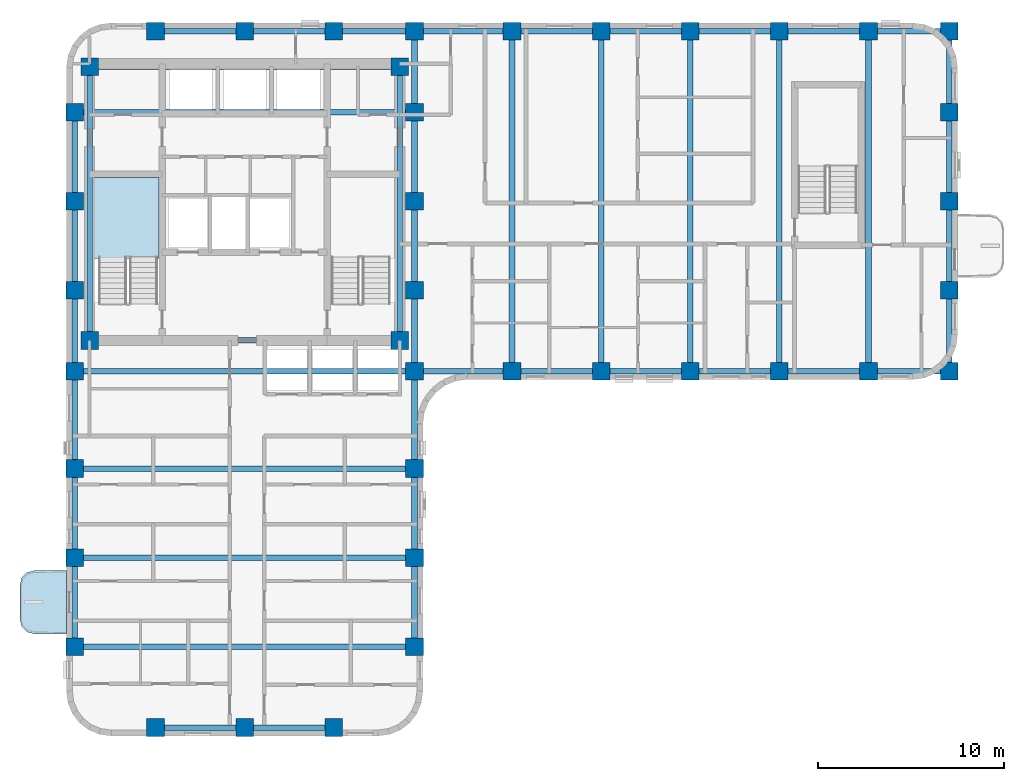
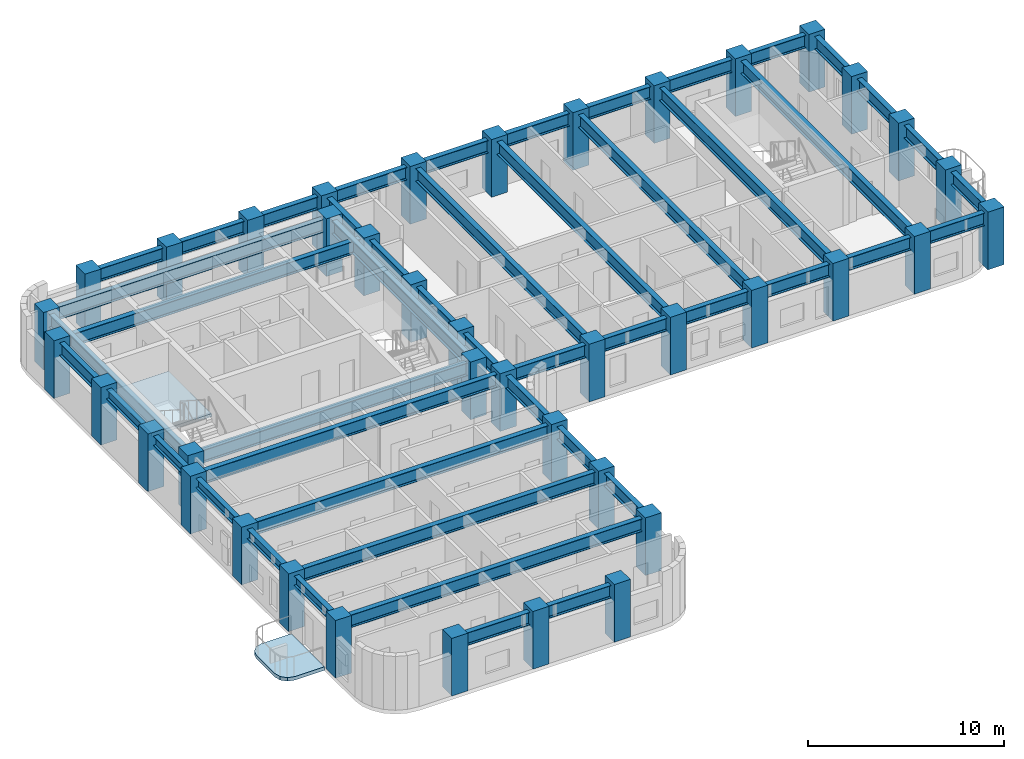
# One storey, part 1 of 10: 48 beams, 40 columns, 2 slabs, 1 element without a shape of its own.
"""IFC4 building model written with IfcOpenShell, lengths in metres."""

from ifc_helpers import new_model, si_unit, direction, frame, origin, origin_2d, place, context, subcontext, project, spatial, polyline, rectangle, i_section, outline, extrude, material, layer, layer_set, material_profile, profile_set, type_object, element, aggregate, save


model = new_model("IFC4")

# Units and contexts
model_context = context("Model", 3, precision=1e-05, world=origin(), true_north=direction((0.0, 1.0)))
body_context = subcontext(model_context, "Body", "Model", "MODEL_VIEW")
ifc_project = project(units=[si_unit("LENGTHUNIT", "METRE"), si_unit("AREAUNIT", "SQUARE_METRE"), si_unit("VOLUMEUNIT", "CUBIC_METRE"), si_unit("PLANEANGLEUNIT", "RADIAN"), si_unit("MASSUNIT", "GRAM", prefix="KILO")], contexts=[model_context])

# Site, building, storey
site_placement = place(None, origin())
site = spatial("IfcSite", under=ifc_project, at=site_placement, CompositionType="ELEMENT")
building_placement = place(site_placement, origin())
building = spatial("IfcBuilding", under=site, at=building_placement, Name="Orvandelia Arch Residences", CompositionType="ELEMENT")
storey_placement = place(building_placement, frame((0.0, 0.0, 114.39990234375)))
storey = spatial("IfcBuildingStorey", under=building, at=storey_placement, Name="L29", CompositionType="ELEMENT", Elevation=114.39990234375)

# Columns
ifc_material_1 = material(Name="Concrete C60/75", Category="concrete")
ifc_material_profile_1 = material_profile(ifc_material_1, rectangle(XDim=0.949951171875, YDim=0.949951171875, at=origin_2d()), Name="Concrete C60/75", Category="concrete")
ifc_profile_set_1 = profile_set([ifc_material_profile_1], Name="Concrete C60/75")
column_type = type_object("IfcColumnType", Name="COL-TWR-950", PredefinedType="COLUMN", material=ifc_profile_set_1)
for number, where, z_axis, x_axis, name in (
    (1, (5.25, 14.39990234375, 0.0), (0.0, 0.0, 1.0), (1.0, 0.0, 0.0), "Structural Column L29-W-W-144"),
    (2, (5.25, 19.199951171875, 0.0), (0.0, 0.0, 1.0), (1.0, 0.0, 0.0), "Structural Column L29-W-W-192"),
    (3, (5.25, 24.0, 0.0), (0.0, 0.0, 1.0), (1.0, 0.0, 0.0), "Structural Column L29-W-W-240"),
    (4, (5.25, 29.25, 0.0), (0.0, 0.0, 1.0), (1.0, 0.0, 0.0), "Structural Column L29-W-W-292"),
    (5, (5.25, 33.60009765625, 0.0), (0.0, 0.0, 1.0), (1.0, 0.0, 0.0), "Structural Column L29-W-W-336"),
    (6, (5.25, 38.39990234375, 0.0), (0.0, 0.0, 1.0), (1.0, 0.0, 0.0), "Structural Column L29-W-W-384"),
    (7, (5.25, 43.199951171875, 0.0), (0.0, 0.0, 1.0), (1.0, 0.0, 0.0), "Structural Column L29-W-W-432"),
    (8, (6.050048828125, 30.89990234375, 0.0), (0.0, 0.0, 1.0), (1.0, 0.0, 0.0), "Structural Column L29-CR-SW"),
    (9, (6.050048828125, 45.64990234375, 0.0), (0.0, 0.0, 1.0), (1.0, 0.0, 0.0), "Structural Column L29-CR-NW"),
    (10, (9.60009765625, 10.050048828125, 0.0), (0.0, 0.0, 1.0), (1.0, 0.0, 0.0), "Structural Column L29-W-S-96"),
    (11, (9.60009765625, 47.550048828125, 0.0), (0.0, 0.0, 1.0), (1.0, 0.0, 0.0), "Structural Column L29-W-N-96"),
    (12, (14.39990234375, 10.050048828125, 0.0), (0.0, 0.0, 1.0), (1.0, 0.0, 0.0), "Structural Column L29-W-S-144"),
    (13, (14.39990234375, 47.550048828125, 0.0), (0.0, 0.0, 1.0), (1.0, 0.0, 0.0), "Structural Column L29-W-N-144"),
    (14, (19.199951171875, 10.050048828125, 0.0), (0.0, 0.0, 1.0), (1.0, 0.0, 0.0), "Structural Column L29-W-S-192"),
    (15, (19.199951171875, 47.550048828125, 0.0), (0.0, 0.0, 1.0), (1.0, 0.0, 0.0), "Structural Column L29-W-N-192"),
    (16, (22.75, 30.89990234375, 0.0), (0.0, 0.0, 1.0), (1.0, 0.0, 0.0), "Structural Column L29-CR-SE"),
    (17, (22.75, 45.64990234375, 0.0), (0.0, 0.0, 1.0), (1.0, 0.0, 0.0), "Structural Column L29-CR-NE"),
    (18, (23.550048828125, 14.39990234375, 0.0), (0.0, 0.0, 1.0), (1.0, 0.0, 0.0), "Structural Column L29-W-E-144"),
    (19, (23.550048828125, 19.199951171875, 0.0), (0.0, 0.0, 1.0), (1.0, 0.0, 0.0), "Structural Column L29-W-E-192"),
    (20, (23.550048828125, 24.0, 0.0), (0.0, 0.0, 1.0), (1.0, 0.0, 0.0), "Structural Column L29-W-E-240"),
    (21, (23.550048828125, 29.25, 0.0), (0.0, 0.0, 1.0), (1.0, 0.0, 0.0), "Structural Column L29-W-E-292"),
    (22, (23.550048828125, 33.60009765625, 0.0), (0.0, 0.0, 1.0), (1.0, 0.0, 0.0), "Structural Column L29-W-E-336"),
    (23, (23.550048828125, 38.39990234375, 0.0), (0.0, 0.0, 1.0), (1.0, 0.0, 0.0), "Structural Column L29-W-E-384"),
    (24, (23.550048828125, 43.199951171875, 0.0), (0.0, 0.0, 1.0), (1.0, 0.0, 0.0), "Structural Column L29-W-E-432"),
    (25, (23.550048828125, 47.550048828125, 0.0), (0.0, 0.0, 1.0), (1.0, 0.0, 0.0), "Structural Column L29-W-N-235"),
    (26, (28.800048828125, 29.25, 0.0), (0.0, 0.0, 1.0), (1.0, 0.0, 0.0), "Structural Column L29-E-S-288"),
    (27, (28.800048828125, 47.550048828125, 0.0), (0.0, 0.0, 1.0), (1.0, 0.0, 0.0), "Structural Column L29-E-N-288"),
    (28, (33.60009765625, 29.25, 0.0), (0.0, 0.0, 1.0), (1.0, 0.0, 0.0), "Structural Column L29-E-S-336"),
    (29, (33.60009765625, 47.550048828125, 0.0), (0.0, 0.0, 1.0), (1.0, 0.0, 0.0), "Structural Column L29-E-N-336"),
    (30, (38.39990234375, 29.25, 0.0), (0.0, 0.0, 1.0), (1.0, 0.0, 0.0), "Structural Column L29-E-S-384"),
    (31, (38.39990234375, 47.550048828125, 0.0), (0.0, 0.0, 1.0), (1.0, 0.0, 0.0), "Structural Column L29-E-N-384"),
    (32, (43.199951171875, 29.25, 0.0), (0.0, 0.0, 1.0), (1.0, 0.0, 0.0), "Structural Column L29-E-S-432"),
    (33, (43.199951171875, 47.550048828125, 0.0), (0.0, 0.0, 1.0), (1.0, 0.0, 0.0), "Structural Column L29-E-N-432"),
    (34, (48.0, 29.25, 0.0), (0.0, 0.0, 1.0), (1.0, 0.0, 0.0), "Structural Column L29-E-S-480"),
    (35, (48.0, 47.550048828125, 0.0), (0.0, 0.0, 1.0), (1.0, 0.0, 0.0), "Structural Column L29-E-N-480"),
    (36, (52.35009765625, 29.25, 0.0), (0.0, 0.0, 1.0), (1.0, 0.0, 0.0), "Structural Column L29-E-S-523"),
    (37, (52.35009765625, 33.60009765625, 0.0), (0.0, 0.0, 1.0), (1.0, 0.0, 0.0), "Structural Column L29-E-523-336"),
    (38, (52.35009765625, 38.39990234375, 0.0), (0.0, 0.0, 1.0), (1.0, 0.0, 0.0), "Structural Column L29-E-523-384"),
    (39, (52.35009765625, 43.199951171875, 0.0), (0.0, 0.0, 1.0), (1.0, 0.0, 0.0), "Structural Column L29-E-523-432"),
    (40, (52.35009765625, 47.550048828125, 0.0), (0.0, 0.0, 1.0), (1.0, 0.0, 0.0), "Structural Column L29-E-N-523"),
):
    element("IfcColumn", number, at=place(storey_placement, frame(where, z_axis=z_axis, x_axis=x_axis)), inside=storey, type_object=column_type, Name=name, PredefinedType="COLUMN", context=body_context, shape_type="SweptSolid", body=[
        extrude(rectangle(XDim=0.949951171875, YDim=0.949951171875, at=origin_2d()), origin(), (0.0, 0.0, 1.0), 3.60009765625),
    ])

# Beams
ifc_material_2 = material(Name="Structural Steel SM355 (355 MPa)", Category="steel")
ifc_material_profile_2 = material_profile(ifc_material_2, i_section(OverallWidth=0.300048828125, OverallDepth=0.800048828125, WebThickness=0.013916015625, FlangeThickness=0.02587890625, FilletRadius=0.02587890625, at=origin_2d()), Name="Structural Steel SM355 (355 MPa)", Category="steel")
ifc_profile_set_2 = profile_set([ifc_material_profile_2], Name="Structural Steel SM355 (355 MPa)")
beam_type_1 = type_object("IfcBeamType", Name="BM-GRD-H800", PredefinedType="BEAM", material=ifc_profile_set_2)
beam_1_placement = place(storey_placement, frame((5.25, 38.39990234375, 2.960205078125), z_axis=(0.0, 1.0, 0.0), x_axis=(-1.0, 0.0, 0.0)))
element("IfcBeam", 41, at=beam_1_placement, inside=storey, type_object=beam_type_1, Name="Structural Frame Beam L29-NS-006", PredefinedType="BEAM", context=body_context, shape_type="SweptSolid", body=[
    extrude(i_section(OverallWidth=0.300048828125, OverallDepth=0.800048828125, WebThickness=0.013916015625, FlangeThickness=0.02587890625, FilletRadius=0.02587890625, at=origin_2d()), origin(), (0.0, 0.0, 1.0), 4.800048828125),
])
for number, where, z_axis, x_axis, name in (
    (42, (6.050048828125, 30.89990234375, 2.960205078125), (0.0, 1.0, 0.0), (-1.0, 0.0, 0.0), "Structural Frame Beam L29-NS-007"),
    (43, (22.75, 30.89990234375, 2.960205078125), (0.0, 1.0, 0.0), (-1.0, 0.0, 0.0), "Structural Frame Beam L29-NS-008"),
):
    element("IfcBeam", number, at=place(storey_placement, frame(where, z_axis=z_axis, x_axis=x_axis)), inside=storey, type_object=beam_type_1, Name=name, PredefinedType="BEAM", context=body_context, shape_type="SweptSolid", body=[
        extrude(i_section(OverallWidth=0.300048828125, OverallDepth=0.800048828125, WebThickness=0.013916015625, FlangeThickness=0.02587890625, FilletRadius=0.02587890625, at=origin_2d()), origin(), (0.0, 0.0, 1.0), 14.75),
    ])
for number, where, z_axis, x_axis, name in (
    (44, (23.550048828125, 14.39990234375, 2.960205078125), (0.0, 1.0, 0.0), (-1.0, 0.0, 0.0), "Structural Frame Beam L29-NS-009"),
    (45, (23.550048828125, 19.199951171875, 2.960205078125), (0.0, 1.0, 0.0), (-1.0, 0.0, 0.0), "Structural Frame Beam L29-NS-010"),
):
    element("IfcBeam", number, at=place(storey_placement, frame(where, z_axis=z_axis, x_axis=x_axis)), inside=storey, type_object=beam_type_1, Name=name, PredefinedType="BEAM", context=body_context, shape_type="SweptSolid", body=[
        extrude(i_section(OverallWidth=0.300048828125, OverallDepth=0.800048828125, WebThickness=0.013916015625, FlangeThickness=0.02587890625, FilletRadius=0.02587890625, at=origin_2d()), origin(), (0.0, 0.0, 1.0), 4.800048828125),
    ])
beam_2_placement = place(storey_placement, frame((23.550048828125, 24.0, 2.960205078125), z_axis=(0.0, 1.0, 0.0), x_axis=(-1.0, 0.0, 0.0)))
element("IfcBeam", 46, at=beam_2_placement, inside=storey, type_object=beam_type_1, Name="Structural Frame Beam L29-NS-011", PredefinedType="BEAM", context=body_context, shape_type="SweptSolid", body=[
    extrude(i_section(OverallWidth=0.300048828125, OverallDepth=0.800048828125, WebThickness=0.013916015625, FlangeThickness=0.02587890625, FilletRadius=0.02587890625, at=origin_2d()), origin(), (0.0, 0.0, 1.0), 5.25),
])
beam_3_placement = place(storey_placement, frame((23.550048828125, 29.25, 2.960205078125), z_axis=(0.0, 1.0, 0.0), x_axis=(-1.0, 0.0, 0.0)))
element("IfcBeam", 47, at=beam_3_placement, inside=storey, type_object=beam_type_1, Name="Structural Frame Beam L29-NS-012", PredefinedType="BEAM", context=body_context, shape_type="SweptSolid", body=[
    extrude(i_section(OverallWidth=0.300048828125, OverallDepth=0.800048828125, WebThickness=0.013916015625, FlangeThickness=0.02587890625, FilletRadius=0.02587890625, at=origin_2d()), origin(), (0.0, 0.0, 1.0), 4.35009765625),
])
beam_4_placement = place(storey_placement, frame((23.550048828125, 33.60009765625, 2.960205078125), z_axis=(0.0, 1.0, 0.0), x_axis=(-1.0, 0.0, 0.0)))
element("IfcBeam", 48, at=beam_4_placement, inside=storey, type_object=beam_type_1, Name="Structural Frame Beam L29-NS-013", PredefinedType="BEAM", context=body_context, shape_type="SweptSolid", body=[
    extrude(i_section(OverallWidth=0.300048828125, OverallDepth=0.800048828125, WebThickness=0.013916015625, FlangeThickness=0.02587890625, FilletRadius=0.02587890625, at=origin_2d()), origin(), (0.0, 0.0, 1.0), 4.7998046875),
])
beam_5_placement = place(storey_placement, frame((23.550048828125, 38.39990234375, 2.960205078125), z_axis=(0.0, 1.0, 0.0), x_axis=(-1.0, 0.0, 0.0)))
element("IfcBeam", 49, at=beam_5_placement, inside=storey, type_object=beam_type_1, Name="Structural Frame Beam L29-NS-014", PredefinedType="BEAM", context=body_context, shape_type="SweptSolid", body=[
    extrude(i_section(OverallWidth=0.300048828125, OverallDepth=0.800048828125, WebThickness=0.013916015625, FlangeThickness=0.02587890625, FilletRadius=0.02587890625, at=origin_2d()), origin(), (0.0, 0.0, 1.0), 4.800048828125),
])
beam_6_placement = place(storey_placement, frame((23.550048828125, 43.199951171875, 2.960205078125), z_axis=(0.0, 1.0, 0.0), x_axis=(-1.0, 0.0, 0.0)))
element("IfcBeam", 50, at=beam_6_placement, inside=storey, type_object=beam_type_1, Name="Structural Frame Beam L29-NS-015", PredefinedType="BEAM", context=body_context, shape_type="SweptSolid", body=[
    extrude(i_section(OverallWidth=0.300048828125, OverallDepth=0.800048828125, WebThickness=0.013916015625, FlangeThickness=0.02587890625, FilletRadius=0.02587890625, at=origin_2d()), origin(), (0.0, 0.0, 1.0), 4.35009765625),
])
for number, where, z_axis, x_axis, name in (
    (51, (28.800048828125, 29.25, 2.960205078125), (0.0, 1.0, 0.0), (-1.0, 0.0, 0.0), "Structural Frame Beam L29-NS-016"),
    (52, (33.60009765625, 29.25, 2.960205078125), (0.0, 1.0, 0.0), (-1.0, 0.0, 0.0), "Structural Frame Beam L29-NS-017"),
    (53, (38.39990234375, 29.25, 2.960205078125), (0.0, 1.0, 0.0), (-1.0, 0.0, 0.0), "Structural Frame Beam L29-NS-018"),
    (54, (43.199951171875, 29.25, 2.960205078125), (0.0, 1.0, 0.0), (-1.0, 0.0, 0.0), "Structural Frame Beam L29-NS-019"),
    (55, (48.0, 29.25, 2.960205078125), (0.0, 1.0, 0.0), (-1.0, 0.0, 0.0), "Structural Frame Beam L29-NS-020"),
):
    element("IfcBeam", number, at=place(storey_placement, frame(where, z_axis=z_axis, x_axis=x_axis)), inside=storey, type_object=beam_type_1, Name=name, PredefinedType="BEAM", context=body_context, shape_type="SweptSolid", body=[
        extrude(i_section(OverallWidth=0.300048828125, OverallDepth=0.800048828125, WebThickness=0.013916015625, FlangeThickness=0.02587890625, FilletRadius=0.02587890625, at=origin_2d()), origin(), (0.0, 0.0, 1.0), 18.300048828125),
    ])
beam_7_placement = place(storey_placement, frame((52.35009765625, 29.25, 2.960205078125), z_axis=(0.0, 1.0, 0.0), x_axis=(-1.0, 0.0, 0.0)))
element("IfcBeam", 56, at=beam_7_placement, inside=storey, type_object=beam_type_1, Name="Structural Frame Beam L29-NS-021", PredefinedType="BEAM", context=body_context, shape_type="SweptSolid", body=[
    extrude(i_section(OverallWidth=0.300048828125, OverallDepth=0.800048828125, WebThickness=0.013916015625, FlangeThickness=0.02587890625, FilletRadius=0.02587890625, at=origin_2d()), origin(), (0.0, 0.0, 1.0), 4.35009765625),
])
beam_8_placement = place(storey_placement, frame((52.35009765625, 33.60009765625, 2.960205078125), z_axis=(0.0, 1.0, 0.0), x_axis=(-1.0, 0.0, 0.0)))
element("IfcBeam", 57, at=beam_8_placement, inside=storey, type_object=beam_type_1, Name="Structural Frame Beam L29-NS-022", PredefinedType="BEAM", context=body_context, shape_type="SweptSolid", body=[
    extrude(i_section(OverallWidth=0.300048828125, OverallDepth=0.800048828125, WebThickness=0.013916015625, FlangeThickness=0.02587890625, FilletRadius=0.02587890625, at=origin_2d()), origin(), (0.0, 0.0, 1.0), 4.7998046875),
])
beam_9_placement = place(storey_placement, frame((52.35009765625, 38.39990234375, 2.960205078125), z_axis=(0.0, 1.0, 0.0), x_axis=(-1.0, 0.0, 0.0)))
element("IfcBeam", 58, at=beam_9_placement, inside=storey, type_object=beam_type_1, Name="Structural Frame Beam L29-NS-023", PredefinedType="BEAM", context=body_context, shape_type="SweptSolid", body=[
    extrude(i_section(OverallWidth=0.300048828125, OverallDepth=0.800048828125, WebThickness=0.013916015625, FlangeThickness=0.02587890625, FilletRadius=0.02587890625, at=origin_2d()), origin(), (0.0, 0.0, 1.0), 4.800048828125),
])
beam_10_placement = place(storey_placement, frame((52.35009765625, 43.199951171875, 2.960205078125), z_axis=(0.0, 1.0, 0.0), x_axis=(-1.0, 0.0, 0.0)))
element("IfcBeam", 59, at=beam_10_placement, inside=storey, type_object=beam_type_1, Name="Structural Frame Beam L29-NS-024", PredefinedType="BEAM", context=body_context, shape_type="SweptSolid", body=[
    extrude(i_section(OverallWidth=0.300048828125, OverallDepth=0.800048828125, WebThickness=0.013916015625, FlangeThickness=0.02587890625, FilletRadius=0.02587890625, at=origin_2d()), origin(), (0.0, 0.0, 1.0), 4.35009765625),
])
beam_11_placement = place(storey_placement, frame((9.60009765625, 10.050048828125, 2.960205078125), z_axis=(1.0, 0.0, 0.0), x_axis=(0.0, 1.0, 0.0)))
element("IfcBeam", 60, at=beam_11_placement, inside=storey, type_object=beam_type_1, Name="Structural Frame Girder L29-EW-025", PredefinedType="BEAM", context=body_context, shape_type="SweptSolid", body=[
    extrude(i_section(OverallWidth=0.300048828125, OverallDepth=0.800048828125, WebThickness=0.013916015625, FlangeThickness=0.02587890625, FilletRadius=0.02587890625, at=origin_2d()), origin(), (0.0, 0.0, 1.0), 4.7998046875),
])
beam_12_placement = place(storey_placement, frame((14.39990234375, 10.050048828125, 2.960205078125), z_axis=(1.0, 0.0, 0.0), x_axis=(0.0, 1.0, 0.0)))
element("IfcBeam", 61, at=beam_12_placement, inside=storey, type_object=beam_type_1, Name="Structural Frame Girder L29-EW-026", PredefinedType="BEAM", context=body_context, shape_type="SweptSolid", body=[
    extrude(i_section(OverallWidth=0.300048828125, OverallDepth=0.800048828125, WebThickness=0.013916015625, FlangeThickness=0.02587890625, FilletRadius=0.02587890625, at=origin_2d()), origin(), (0.0, 0.0, 1.0), 4.800048828125),
])
for number, where, z_axis, x_axis, name in (
    (62, (5.25, 14.39990234375, 2.960205078125), (1.0, 0.0, 0.0), (0.0, 1.0, 0.0), "Structural Frame Girder L29-EW-027"),
    (63, (5.25, 19.199951171875, 2.960205078125), (1.0, 0.0, 0.0), (0.0, 1.0, 0.0), "Structural Frame Girder L29-EW-028"),
    (64, (5.25, 24.0, 2.960205078125), (1.0, 0.0, 0.0), (0.0, 1.0, 0.0), "Structural Frame Girder L29-EW-029"),
    (65, (5.25, 29.25, 2.960205078125), (1.0, 0.0, 0.0), (0.0, 1.0, 0.0), "Structural Frame Girder L29-EW-030"),
):
    element("IfcBeam", number, at=place(storey_placement, frame(where, z_axis=z_axis, x_axis=x_axis)), inside=storey, type_object=beam_type_1, Name=name, PredefinedType="BEAM", context=body_context, shape_type="SweptSolid", body=[
        extrude(i_section(OverallWidth=0.300048828125, OverallDepth=0.800048828125, WebThickness=0.013916015625, FlangeThickness=0.02587890625, FilletRadius=0.02587890625, at=origin_2d()), origin(), (0.0, 0.0, 1.0), 18.300048828125),
    ])
beam_13_placement = place(storey_placement, frame((23.550048828125, 29.25, 2.960205078125), z_axis=(1.0, 0.0, 0.0), x_axis=(0.0, 1.0, 0.0)))
element("IfcBeam", 66, at=beam_13_placement, inside=storey, type_object=beam_type_1, Name="Structural Frame Girder L29-EW-031", PredefinedType="BEAM", context=body_context, shape_type="SweptSolid", body=[
    extrude(i_section(OverallWidth=0.300048828125, OverallDepth=0.800048828125, WebThickness=0.013916015625, FlangeThickness=0.02587890625, FilletRadius=0.02587890625, at=origin_2d()), origin(), (0.0, 0.0, 1.0), 5.25),
])
beam_14_placement = place(storey_placement, frame((28.800048828125, 29.25, 2.960205078125), z_axis=(1.0, 0.0, 0.0), x_axis=(0.0, 1.0, 0.0)))
element("IfcBeam", 67, at=beam_14_placement, inside=storey, type_object=beam_type_1, Name="Structural Frame Girder L29-EW-032", PredefinedType="BEAM", context=body_context, shape_type="SweptSolid", body=[
    extrude(i_section(OverallWidth=0.300048828125, OverallDepth=0.800048828125, WebThickness=0.013916015625, FlangeThickness=0.02587890625, FilletRadius=0.02587890625, at=origin_2d()), origin(), (0.0, 0.0, 1.0), 4.800048828125),
])
beam_15_placement = place(storey_placement, frame((33.60009765625, 29.25, 2.960205078125), z_axis=(1.0, 0.0, 0.0), x_axis=(0.0, 1.0, 0.0)))
element("IfcBeam", 68, at=beam_15_placement, inside=storey, type_object=beam_type_1, Name="Structural Frame Girder L29-EW-033", PredefinedType="BEAM", context=body_context, shape_type="SweptSolid", body=[
    extrude(i_section(OverallWidth=0.300048828125, OverallDepth=0.800048828125, WebThickness=0.013916015625, FlangeThickness=0.02587890625, FilletRadius=0.02587890625, at=origin_2d()), origin(), (0.0, 0.0, 1.0), 4.7998046875),
])
for number, where, z_axis, x_axis, name in (
    (69, (38.39990234375, 29.25, 2.960205078125), (1.0, 0.0, 0.0), (0.0, 1.0, 0.0), "Structural Frame Girder L29-EW-034"),
    (70, (43.199951171875, 29.25, 2.960205078125), (1.0, 0.0, 0.0), (0.0, 1.0, 0.0), "Structural Frame Girder L29-EW-035"),
):
    element("IfcBeam", number, at=place(storey_placement, frame(where, z_axis=z_axis, x_axis=x_axis)), inside=storey, type_object=beam_type_1, Name=name, PredefinedType="BEAM", context=body_context, shape_type="SweptSolid", body=[
        extrude(i_section(OverallWidth=0.300048828125, OverallDepth=0.800048828125, WebThickness=0.013916015625, FlangeThickness=0.02587890625, FilletRadius=0.02587890625, at=origin_2d()), origin(), (0.0, 0.0, 1.0), 4.800048828125),
    ])
beam_16_placement = place(storey_placement, frame((48.0, 29.25, 2.960205078125), z_axis=(1.0, 0.0, 0.0), x_axis=(0.0, 1.0, 0.0)))
element("IfcBeam", 71, at=beam_16_placement, inside=storey, type_object=beam_type_1, Name="Structural Frame Girder L29-EW-036", PredefinedType="BEAM", context=body_context, shape_type="SweptSolid", body=[
    extrude(i_section(OverallWidth=0.300048828125, OverallDepth=0.800048828125, WebThickness=0.013916015625, FlangeThickness=0.02587890625, FilletRadius=0.02587890625, at=origin_2d()), origin(), (0.0, 0.0, 1.0), 4.35009765625),
])
beam_17_placement = place(storey_placement, frame((6.050048828125, 30.89990234375, 2.960205078125), z_axis=(1.0, 0.0, 0.0), x_axis=(0.0, 1.0, 0.0)))
element("IfcBeam", 72, at=beam_17_placement, inside=storey, type_object=beam_type_1, Name="Structural Frame Girder L29-EW-037", PredefinedType="BEAM", context=body_context, shape_type="SweptSolid", body=[
    extrude(i_section(OverallWidth=0.300048828125, OverallDepth=0.800048828125, WebThickness=0.013916015625, FlangeThickness=0.02587890625, FilletRadius=0.02587890625, at=origin_2d()), origin(), (0.0, 0.0, 1.0), 16.699951171875),
])
beam_18_placement = place(storey_placement, frame((5.25, 43.199951171875, 2.960205078125), z_axis=(1.0, 0.0, 0.0), x_axis=(0.0, 1.0, 0.0)))
element("IfcBeam", 73, at=beam_18_placement, inside=storey, type_object=beam_type_1, Name="Structural Frame Girder L29-EW-040", PredefinedType="BEAM", context=body_context, shape_type="SweptSolid", body=[
    extrude(i_section(OverallWidth=0.300048828125, OverallDepth=0.800048828125, WebThickness=0.013916015625, FlangeThickness=0.02587890625, FilletRadius=0.02587890625, at=origin_2d()), origin(), (0.0, 0.0, 1.0), 18.300048828125),
])
beam_19_placement = place(storey_placement, frame((6.050048828125, 45.64990234375, 2.960205078125), z_axis=(1.0, 0.0, 0.0), x_axis=(0.0, 1.0, 0.0)))
element("IfcBeam", 74, at=beam_19_placement, inside=storey, type_object=beam_type_1, Name="Structural Frame Girder L29-EW-041", PredefinedType="BEAM", context=body_context, shape_type="SweptSolid", body=[
    extrude(i_section(OverallWidth=0.300048828125, OverallDepth=0.800048828125, WebThickness=0.013916015625, FlangeThickness=0.02587890625, FilletRadius=0.02587890625, at=origin_2d()), origin(), (0.0, 0.0, 1.0), 16.699951171875),
])
beam_20_placement = place(storey_placement, frame((9.60009765625, 47.550048828125, 2.960205078125), z_axis=(1.0, 0.0, 0.0), x_axis=(0.0, 1.0, 0.0)))
element("IfcBeam", 75, at=beam_20_placement, inside=storey, type_object=beam_type_1, Name="Structural Frame Girder L29-EW-042", PredefinedType="BEAM", context=body_context, shape_type="SweptSolid", body=[
    extrude(i_section(OverallWidth=0.300048828125, OverallDepth=0.800048828125, WebThickness=0.013916015625, FlangeThickness=0.02587890625, FilletRadius=0.02587890625, at=origin_2d()), origin(), (0.0, 0.0, 1.0), 4.7998046875),
])
beam_21_placement = place(storey_placement, frame((14.39990234375, 47.550048828125, 2.960205078125), z_axis=(1.0, 0.0, 0.0), x_axis=(0.0, 1.0, 0.0)))
element("IfcBeam", 76, at=beam_21_placement, inside=storey, type_object=beam_type_1, Name="Structural Frame Girder L29-EW-043", PredefinedType="BEAM", context=body_context, shape_type="SweptSolid", body=[
    extrude(i_section(OverallWidth=0.300048828125, OverallDepth=0.800048828125, WebThickness=0.013916015625, FlangeThickness=0.02587890625, FilletRadius=0.02587890625, at=origin_2d()), origin(), (0.0, 0.0, 1.0), 4.800048828125),
])
beam_22_placement = place(storey_placement, frame((19.199951171875, 47.550048828125, 2.960205078125), z_axis=(1.0, 0.0, 0.0), x_axis=(0.0, 1.0, 0.0)))
element("IfcBeam", 77, at=beam_22_placement, inside=storey, type_object=beam_type_1, Name="Structural Frame Girder L29-EW-044", PredefinedType="BEAM", context=body_context, shape_type="SweptSolid", body=[
    extrude(i_section(OverallWidth=0.300048828125, OverallDepth=0.800048828125, WebThickness=0.013916015625, FlangeThickness=0.02587890625, FilletRadius=0.02587890625, at=origin_2d()), origin(), (0.0, 0.0, 1.0), 4.35009765625),
])
beam_23_placement = place(storey_placement, frame((23.550048828125, 47.550048828125, 2.960205078125), z_axis=(1.0, 0.0, 0.0), x_axis=(0.0, 1.0, 0.0)))
element("IfcBeam", 78, at=beam_23_placement, inside=storey, type_object=beam_type_1, Name="Structural Frame Girder L29-EW-045", PredefinedType="BEAM", context=body_context, shape_type="SweptSolid", body=[
    extrude(i_section(OverallWidth=0.300048828125, OverallDepth=0.800048828125, WebThickness=0.013916015625, FlangeThickness=0.02587890625, FilletRadius=0.02587890625, at=origin_2d()), origin(), (0.0, 0.0, 1.0), 5.25),
])
beam_24_placement = place(storey_placement, frame((28.800048828125, 47.550048828125, 2.960205078125), z_axis=(1.0, 0.0, 0.0), x_axis=(0.0, 1.0, 0.0)))
element("IfcBeam", 79, at=beam_24_placement, inside=storey, type_object=beam_type_1, Name="Structural Frame Girder L29-EW-046", PredefinedType="BEAM", context=body_context, shape_type="SweptSolid", body=[
    extrude(i_section(OverallWidth=0.300048828125, OverallDepth=0.800048828125, WebThickness=0.013916015625, FlangeThickness=0.02587890625, FilletRadius=0.02587890625, at=origin_2d()), origin(), (0.0, 0.0, 1.0), 4.800048828125),
])
beam_25_placement = place(storey_placement, frame((33.60009765625, 47.550048828125, 2.960205078125), z_axis=(1.0, 0.0, 0.0), x_axis=(0.0, 1.0, 0.0)))
element("IfcBeam", 80, at=beam_25_placement, inside=storey, type_object=beam_type_1, Name="Structural Frame Girder L29-EW-047", PredefinedType="BEAM", context=body_context, shape_type="SweptSolid", body=[
    extrude(i_section(OverallWidth=0.300048828125, OverallDepth=0.800048828125, WebThickness=0.013916015625, FlangeThickness=0.02587890625, FilletRadius=0.02587890625, at=origin_2d()), origin(), (0.0, 0.0, 1.0), 4.7998046875),
])
for number, where, z_axis, x_axis, name in (
    (81, (38.39990234375, 47.550048828125, 2.960205078125), (1.0, 0.0, 0.0), (0.0, 1.0, 0.0), "Structural Frame Girder L29-EW-048"),
    (82, (43.199951171875, 47.550048828125, 2.960205078125), (1.0, 0.0, 0.0), (0.0, 1.0, 0.0), "Structural Frame Girder L29-EW-049"),
):
    element("IfcBeam", number, at=place(storey_placement, frame(where, z_axis=z_axis, x_axis=x_axis)), inside=storey, type_object=beam_type_1, Name=name, PredefinedType="BEAM", context=body_context, shape_type="SweptSolid", body=[
        extrude(i_section(OverallWidth=0.300048828125, OverallDepth=0.800048828125, WebThickness=0.013916015625, FlangeThickness=0.02587890625, FilletRadius=0.02587890625, at=origin_2d()), origin(), (0.0, 0.0, 1.0), 4.800048828125),
    ])
beam_26_placement = place(storey_placement, frame((48.0, 47.550048828125, 2.960205078125), z_axis=(1.0, 0.0, 0.0), x_axis=(0.0, 1.0, 0.0)))
element("IfcBeam", 83, at=beam_26_placement, inside=storey, type_object=beam_type_1, Name="Structural Frame Girder L29-EW-050", PredefinedType="BEAM", context=body_context, shape_type="SweptSolid", body=[
    extrude(i_section(OverallWidth=0.300048828125, OverallDepth=0.800048828125, WebThickness=0.013916015625, FlangeThickness=0.02587890625, FilletRadius=0.02587890625, at=origin_2d()), origin(), (0.0, 0.0, 1.0), 4.35009765625),
])
ifc_material_profile_3 = material_profile(ifc_material_2, i_section(OverallWidth=0.300048828125, OverallDepth=0.587890625, WebThickness=0.011962890625, FlangeThickness=0.02001953125, FilletRadius=0.02197265625, at=origin_2d()), Name="Structural Steel SM355 (355 MPa)", Category="steel")
ifc_profile_set_3 = profile_set([ifc_material_profile_3], Name="Structural Steel SM355 (355 MPa)")
beam_type_2 = type_object("IfcBeamType", Name="BM-SPN-H588", PredefinedType="SPANDREL", material=ifc_profile_set_3)
for number, where, z_axis, x_axis, name in (
    (84, (5.25, 14.39990234375, 3.066162109375), (0.0, 1.0, 0.0), (-1.0, 0.0, 0.0), "Structural Frame Beam L29-NS-001"),
    (85, (5.25, 19.199951171875, 3.066162109375), (0.0, 1.0, 0.0), (-1.0, 0.0, 0.0), "Structural Frame Beam L29-NS-002"),
):
    element("IfcBeam", number, at=place(storey_placement, frame(where, z_axis=z_axis, x_axis=x_axis)), inside=storey, type_object=beam_type_2, Name=name, PredefinedType="SPANDREL", context=body_context, shape_type="SweptSolid", body=[
        extrude(i_section(OverallWidth=0.300048828125, OverallDepth=0.587890625, WebThickness=0.011962890625, FlangeThickness=0.02001953125, FilletRadius=0.02197265625, at=origin_2d()), origin(), (0.0, 0.0, 1.0), 4.800048828125),
    ])
beam_27_placement = place(storey_placement, frame((5.25, 24.0, 3.066162109375), z_axis=(0.0, 1.0, 0.0), x_axis=(-1.0, 0.0, 0.0)))
element("IfcBeam", 86, at=beam_27_placement, inside=storey, type_object=beam_type_2, Name="Structural Frame Beam L29-NS-003", PredefinedType="SPANDREL", context=body_context, shape_type="SweptSolid", body=[
    extrude(i_section(OverallWidth=0.300048828125, OverallDepth=0.587890625, WebThickness=0.011962890625, FlangeThickness=0.02001953125, FilletRadius=0.02197265625, at=origin_2d()), origin(), (0.0, 0.0, 1.0), 5.25),
])
beam_28_placement = place(storey_placement, frame((5.25, 29.25, 3.066162109375), z_axis=(0.0, 1.0, 0.0), x_axis=(-1.0, 0.0, 0.0)))
element("IfcBeam", 87, at=beam_28_placement, inside=storey, type_object=beam_type_2, Name="Structural Frame Beam L29-NS-004", PredefinedType="SPANDREL", context=body_context, shape_type="SweptSolid", body=[
    extrude(i_section(OverallWidth=0.300048828125, OverallDepth=0.587890625, WebThickness=0.011962890625, FlangeThickness=0.02001953125, FilletRadius=0.02197265625, at=origin_2d()), origin(), (0.0, 0.0, 1.0), 4.35009765625),
])
beam_29_placement = place(storey_placement, frame((5.25, 33.60009765625, 3.066162109375), z_axis=(0.0, 1.0, 0.0), x_axis=(-1.0, 0.0, 0.0)))
element("IfcBeam", 88, at=beam_29_placement, inside=storey, type_object=beam_type_2, Name="Structural Frame Beam L29-NS-005", PredefinedType="SPANDREL", context=body_context, shape_type="SweptSolid", body=[
    extrude(i_section(OverallWidth=0.300048828125, OverallDepth=0.587890625, WebThickness=0.011962890625, FlangeThickness=0.02001953125, FilletRadius=0.02197265625, at=origin_2d()), origin(), (0.0, 0.0, 1.0), 4.7998046875),
])

# Slab
ifc_material_3 = material(Name="Precast concrete C40/50", Category="concrete")
ifc_layer_1 = layer(ifc_material_3, 0.219970703125, Name="Precast concrete C40/50", Category="concrete")
ifc_layer_set_1 = layer_set([ifc_layer_1], Name="Precast concrete C40/50")
slab_type_1 = type_object("IfcSlabType", Name="SLB-BAL-220", PredefinedType="USERDEFINED", material=ifc_layer_set_1)
slab_1_placement = place(storey_placement, frame((0.0, 0.0, -0.219970703125)))
element("IfcSlab", 89, at=slab_1_placement, inside=storey, type_object=slab_type_1, Name="Tree Balcony Cantilever Slab BAL-L29-W1", ObjectType="BALCONY", PredefinedType="USERDEFINED", context=body_context, shape_type="SweptSolid", body=[
    extrude(outline(polyline([(4.800048828125, 15.10009765625), (4.800048828125, 18.5), (3.050048828125, 18.5), (2.675048828125, 18.3994140625), (2.400390625, 18.125), (2.300048828125, 17.75), (2.300048828125, 15.85009765625), (2.400390625, 15.47509765625), (2.675048828125, 15.200439453125), (3.050048828125, 15.10009765625), (4.800048828125, 15.10009765625)])), origin(), (0.0, 0.0, 1.0), 0.219970703125),
])

# Stair, slab
ifc_material_4 = material(Name="Concrete C40/50", Category="concrete")
stair_type = type_object("IfcStairType", Name="STAIR-RC-DOGLEG", PredefinedType="HALF_TURN_STAIR", material=ifc_material_4)
stair_placement = place(storey_placement, origin())
stair = element("IfcStair", 90, at=stair_placement, inside=storey, type_object=stair_type, Name="L29 Protected Exit Stair ST-1", PredefinedType="HALF_TURN_STAIR")
ifc_layer_2 = layer(ifc_material_4, 0.219970703125, Name="Concrete C40/50", Category="concrete")
ifc_layer_set_2 = layer_set([ifc_layer_2], Name="Concrete C40/50")
slab_type_2 = type_object("IfcSlabType", Name="SLB-LANDING-220", PredefinedType="LANDING", material=ifc_layer_set_2)
slab_2_placement = place(storey_placement, frame((0.0, 0.0, 1.60009765625)))
slab_2 = element("IfcSlab", 91, at=slab_2_placement, type_object=slab_type_2, Name="ST-1 landing 1", PredefinedType="LANDING", context=body_context, shape_type="SweptSolid", body=[
    extrude(outline(polyline([(9.800048828125, 35.31005859375), (9.800048828125, 39.68994140625), (6.260009765625, 39.68994140625), (6.260009765625, 35.31005859375), (9.800048828125, 35.31005859375)])), origin(), (0.0, 0.0, 1.0), 0.199951171875),
])
aggregate(stair, [slab_2])

save(model, "model.ifc")
